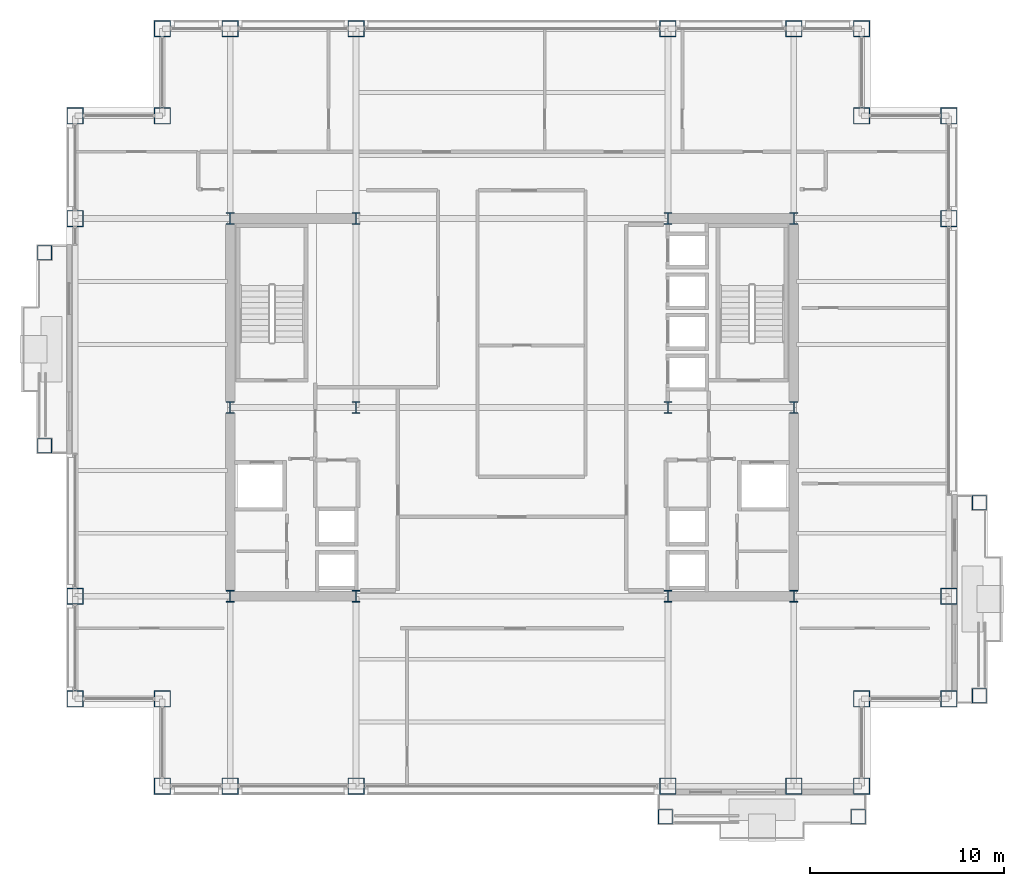
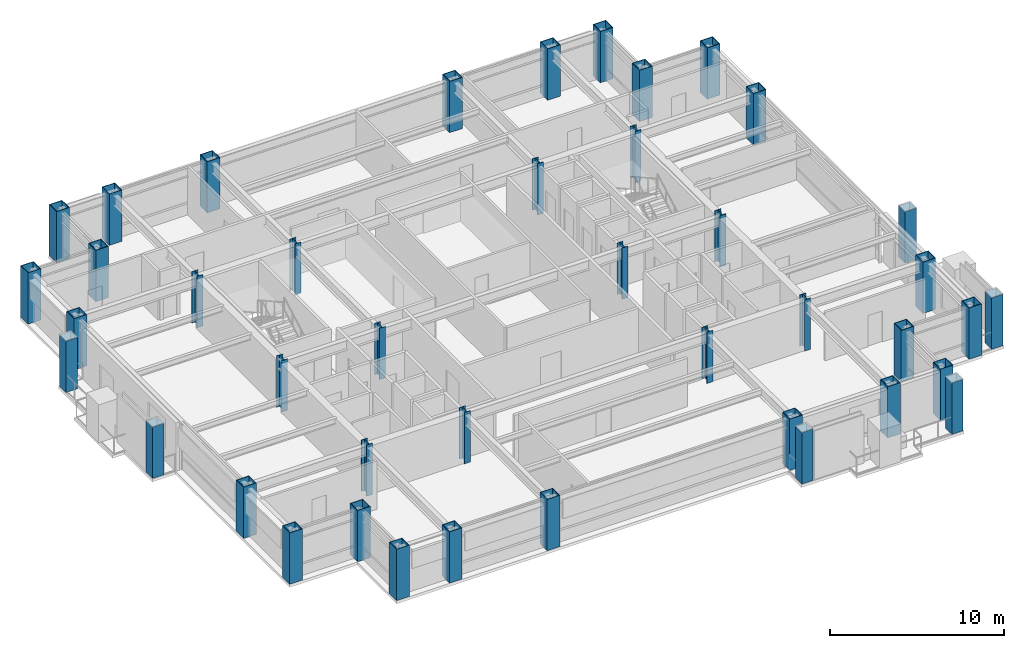
# One storey, part 1 of 30: 42 columns.
"""IFC4 building model written with IfcOpenShell, lengths in metres."""

from ifc_helpers import new_model, si_unit, direction, frame, origin, origin_2d, place, context, subcontext, project, spatial, hollow_rectangle, i_section, extrude, material, material_profile, profile_set, type_object, element, save


model = new_model("IFC4")

# Units and contexts
model_context = context("Model", 3, precision=1e-05, world=origin(), true_north=direction((0.0, 1.0)))
body_context = subcontext(model_context, "Body", "Model", "MODEL_VIEW")
ifc_project = project(units=[si_unit("LENGTHUNIT", "METRE"), si_unit("AREAUNIT", "SQUARE_METRE"), si_unit("VOLUMEUNIT", "CUBIC_METRE"), si_unit("PLANEANGLEUNIT", "RADIAN"), si_unit("MASSUNIT", "GRAM", prefix="KILO")], contexts=[model_context])

# Site, building, storey
site_placement = place(None, origin())
site = spatial("IfcSite", under=ifc_project, at=site_placement, CompositionType="ELEMENT")
building_placement = place(site_placement, origin())
building = spatial("IfcBuilding", under=site, at=building_placement, Name="Brelmoor Portico Tower", CompositionType="ELEMENT")
storey_placement = place(building_placement, frame((0.0, 0.0, 102.60009765625)))
storey = spatial("IfcBuildingStorey", under=building, at=storey_placement, Name="L26", CompositionType="ELEMENT", Elevation=102.60009765625)

# Columns
ifc_material = material(Name="Steel Q355B", Category="steel")
ifc_material_profile_1 = material_profile(ifc_material, hollow_rectangle(XDim=0.75, YDim=0.75, WallThickness=0.031982421875, at=origin_2d()), Name="BOX 750x750x32")
ifc_profile_set_1 = profile_set([ifc_material_profile_1], Name="Steel Q355B")
column_type_1 = type_object("IfcColumnType", Name="COL-MEGA-750", PredefinedType="COLUMN", material=ifc_profile_set_1)
for number, where, z_axis, x_axis, name in (
    (1, (7.919921875, -21.1298828125, 0.0), (0.0, 0.0, 1.0), (1.0, 0.0, 0.0), "L26 Proud Picture-Frame Pier PFJ-S1"),
    (2, (17.8798828125, -21.1298828125, 0.0), (0.0, 0.0, 1.0), (1.0, 0.0, 0.0), "L26 Proud Picture-Frame Pier PFJ-S2"),
    (3, (24.1298828125, -14.8798828125, 0.0), (0.0, 0.0, 1.0), (0.0, 1.0, 0.0), "L26 Proud Picture-Frame Pier PFJ-E1"),
    (4, (24.1298828125, -4.919921875, 0.0), (0.0, 0.0, 1.0), (0.0, 1.0, 0.0), "L26 Proud Picture-Frame Pier PFJ-E2"),
    (5, (-24.1298828125, -1.97998046875, 0.0), (0.0, 0.0, 1.0), (0.0, 1.0, 0.0), "L26 Proud Picture-Frame Pier PFJ-W1"),
    (6, (-24.1298828125, 7.97998046875, 0.0), (0.0, 0.0, 1.0), (0.0, 1.0, 0.0), "L26 Proud Picture-Frame Pier PFJ-W2"),
):
    element("IfcColumn", number, at=place(storey_placement, frame(where, z_axis=z_axis, x_axis=x_axis)), inside=storey, type_object=column_type_1, Name=name, PredefinedType="COLUMN", context=body_context, shape_type="SweptSolid", body=[
        extrude(hollow_rectangle(XDim=0.75, YDim=0.75, WallThickness=0.031982421875, at=origin_2d()), origin(), (0.0, 0.0, 1.0), 3.599853515625),
    ])
ifc_material_profile_2 = material_profile(ifc_material, hollow_rectangle(XDim=0.85009765625, YDim=0.85009765625, WallThickness=0.0400390625, at=origin_2d()), Name="BOX 850x850x40")
ifc_profile_set_2 = profile_set([ifc_material_profile_2], Name="Steel Q355B")
column_type_2 = type_object("IfcColumnType", Name="COL-MEGA-850", PredefinedType="COLUMN", material=ifc_profile_set_2)
for number, where, z_axis, x_axis, name in (
    (7, (-18.050048828125, -19.550048828125, 0.0), (0.0, 0.0, 1.0), (1.0, 0.0, 0.0), "L26 Perimeter Mega-Column PS01"),
    (8, (-14.550048828125, -19.550048828125, 0.0), (0.0, 0.0, 1.0), (1.0, 0.0, 0.0), "L26 Perimeter Mega-Column PS02"),
    (9, (-8.050048828125, -19.550048828125, 0.0), (0.0, 0.0, 1.0), (1.0, 0.0, 0.0), "L26 Perimeter Mega-Column PS03"),
    (10, (8.050048828125, -19.550048828125, 0.0), (0.0, 0.0, 1.0), (1.0, 0.0, 0.0), "L26 Perimeter Mega-Column PS04"),
    (11, (14.550048828125, -19.550048828125, 0.0), (0.0, 0.0, 1.0), (1.0, 0.0, 0.0), "L26 Perimeter Mega-Column PS05"),
    (12, (18.050048828125, -19.550048828125, 0.0), (0.0, 0.0, 1.0), (1.0, 0.0, 0.0), "L26 Perimeter Mega-Column PS06"),
    (13, (-18.050048828125, 19.550048828125, 0.0), (0.0, 0.0, 1.0), (1.0, 0.0, 0.0), "L26 Perimeter Mega-Column PN01"),
    (14, (-14.550048828125, 19.550048828125, 0.0), (0.0, 0.0, 1.0), (1.0, 0.0, 0.0), "L26 Perimeter Mega-Column PN02"),
    (15, (-8.050048828125, 19.550048828125, 0.0), (0.0, 0.0, 1.0), (1.0, 0.0, 0.0), "L26 Perimeter Mega-Column PN03"),
    (16, (8.050048828125, 19.550048828125, 0.0), (0.0, 0.0, 1.0), (1.0, 0.0, 0.0), "L26 Perimeter Mega-Column PN04"),
    (17, (14.550048828125, 19.550048828125, 0.0), (0.0, 0.0, 1.0), (1.0, 0.0, 0.0), "L26 Perimeter Mega-Column PN05"),
    (18, (18.050048828125, 19.550048828125, 0.0), (0.0, 0.0, 1.0), (1.0, 0.0, 0.0), "L26 Perimeter Mega-Column PN06"),
    (19, (-22.550048828125, -15.050048828125, 0.0), (0.0, 0.0, 1.0), (0.0, 1.0, 0.0), "L26 Perimeter Mega-Column PW01"),
    (20, (-22.550048828125, -9.75, 0.0), (0.0, 0.0, 1.0), (0.0, 1.0, 0.0), "L26 Perimeter Mega-Column PW02"),
    (21, (-22.550048828125, 9.75, 0.0), (0.0, 0.0, 1.0), (0.0, 1.0, 0.0), "L26 Perimeter Mega-Column PW03"),
    (22, (-22.550048828125, 15.050048828125, 0.0), (0.0, 0.0, 1.0), (0.0, 1.0, 0.0), "L26 Perimeter Mega-Column PW04"),
    (23, (22.550048828125, -15.050048828125, 0.0), (0.0, 0.0, 1.0), (0.0, 1.0, 0.0), "L26 Perimeter Mega-Column PE01"),
    (24, (22.550048828125, -9.75, 0.0), (0.0, 0.0, 1.0), (0.0, 1.0, 0.0), "L26 Perimeter Mega-Column PE02"),
    (25, (22.550048828125, 9.75, 0.0), (0.0, 0.0, 1.0), (0.0, 1.0, 0.0), "L26 Perimeter Mega-Column PE03"),
    (26, (22.550048828125, 15.050048828125, 0.0), (0.0, 0.0, 1.0), (0.0, 1.0, 0.0), "L26 Perimeter Mega-Column PE04"),
    (27, (-18.050048828125, 15.050048828125, 0.0), (0.0, 0.0, 1.0), (1.0, 0.0, 0.0), "L26 Perimeter Mega-Column PC-NW"),
    (28, (18.050048828125, 15.050048828125, 0.0), (0.0, 0.0, 1.0), (1.0, 0.0, 0.0), "L26 Perimeter Mega-Column PC-NE"),
    (29, (18.050048828125, -15.050048828125, 0.0), (0.0, 0.0, 1.0), (1.0, 0.0, 0.0), "L26 Perimeter Mega-Column PC-SE"),
    (30, (-18.050048828125, -15.050048828125, 0.0), (0.0, 0.0, 1.0), (1.0, 0.0, 0.0), "L26 Perimeter Mega-Column PC-SW"),
):
    element("IfcColumn", number, at=place(storey_placement, frame(where, z_axis=z_axis, x_axis=x_axis)), inside=storey, type_object=column_type_2, Name=name, PredefinedType="COLUMN", context=body_context, shape_type="SweptSolid", body=[
        extrude(hollow_rectangle(XDim=0.85009765625, YDim=0.85009765625, WallThickness=0.0400390625, at=origin_2d()), origin(), (0.0, 0.0, 1.0), 3.599853515625),
    ])
ifc_material_profile_3 = material_profile(ifc_material, i_section(OverallWidth=0.39990234375, OverallDepth=0.60009765625, WebThickness=0.02197265625, FlangeThickness=0.035888671875, at=origin_2d()), Name="HW 600x400x22x36")
ifc_profile_set_3 = profile_set([ifc_material_profile_3], Name="Steel Q355B")
column_type_3 = type_object("IfcColumnType", Name="COL-SPINE-600", PredefinedType="COLUMN", material=ifc_profile_set_3)
for number, where, z_axis, x_axis, name in (
    (31, (-14.550048828125, -9.75, 0.0), (0.0, 0.0, 1.0), (1.0, 0.0, 0.0), "L26 Core Spine Column CW-SW"),
    (32, (-14.550048828125, 0.0, 0.0), (0.0, 0.0, 1.0), (1.0, 0.0, 0.0), "L26 Core Spine Column CW-MW"),
    (33, (-14.550048828125, 9.75, 0.0), (0.0, 0.0, 1.0), (1.0, 0.0, 0.0), "L26 Core Spine Column CW-NW"),
    (34, (-8.050048828125, -9.75, 0.0), (0.0, 0.0, 1.0), (1.0, 0.0, 0.0), "L26 Core Spine Column CW-SE"),
    (35, (-8.050048828125, 0.0, 0.0), (0.0, 0.0, 1.0), (1.0, 0.0, 0.0), "L26 Core Spine Column CW-ME"),
    (36, (-8.050048828125, 9.75, 0.0), (0.0, 0.0, 1.0), (1.0, 0.0, 0.0), "L26 Core Spine Column CW-NE"),
    (37, (8.050048828125, -9.75, 0.0), (0.0, 0.0, 1.0), (1.0, 0.0, 0.0), "L26 Core Spine Column CE-SW"),
    (38, (8.050048828125, 0.0, 0.0), (0.0, 0.0, 1.0), (1.0, 0.0, 0.0), "L26 Core Spine Column CE-MW"),
    (39, (8.050048828125, 9.75, 0.0), (0.0, 0.0, 1.0), (1.0, 0.0, 0.0), "L26 Core Spine Column CE-NW"),
    (40, (14.550048828125, -9.75, 0.0), (0.0, 0.0, 1.0), (1.0, 0.0, 0.0), "L26 Core Spine Column CE-SE"),
    (41, (14.550048828125, 0.0, 0.0), (0.0, 0.0, 1.0), (1.0, 0.0, 0.0), "L26 Core Spine Column CE-ME"),
    (42, (14.550048828125, 9.75, 0.0), (0.0, 0.0, 1.0), (1.0, 0.0, 0.0), "L26 Core Spine Column CE-NE"),
):
    element("IfcColumn", number, at=place(storey_placement, frame(where, z_axis=z_axis, x_axis=x_axis)), inside=storey, type_object=column_type_3, Name=name, PredefinedType="COLUMN", context=body_context, shape_type="SweptSolid", body=[
        extrude(i_section(OverallWidth=0.39990234375, OverallDepth=0.60009765625, WebThickness=0.02197265625, FlangeThickness=0.035888671875, at=origin_2d()), origin(), (0.0, 0.0, 1.0), 3.599853515625),
    ])

save(model, "model.ifc")
